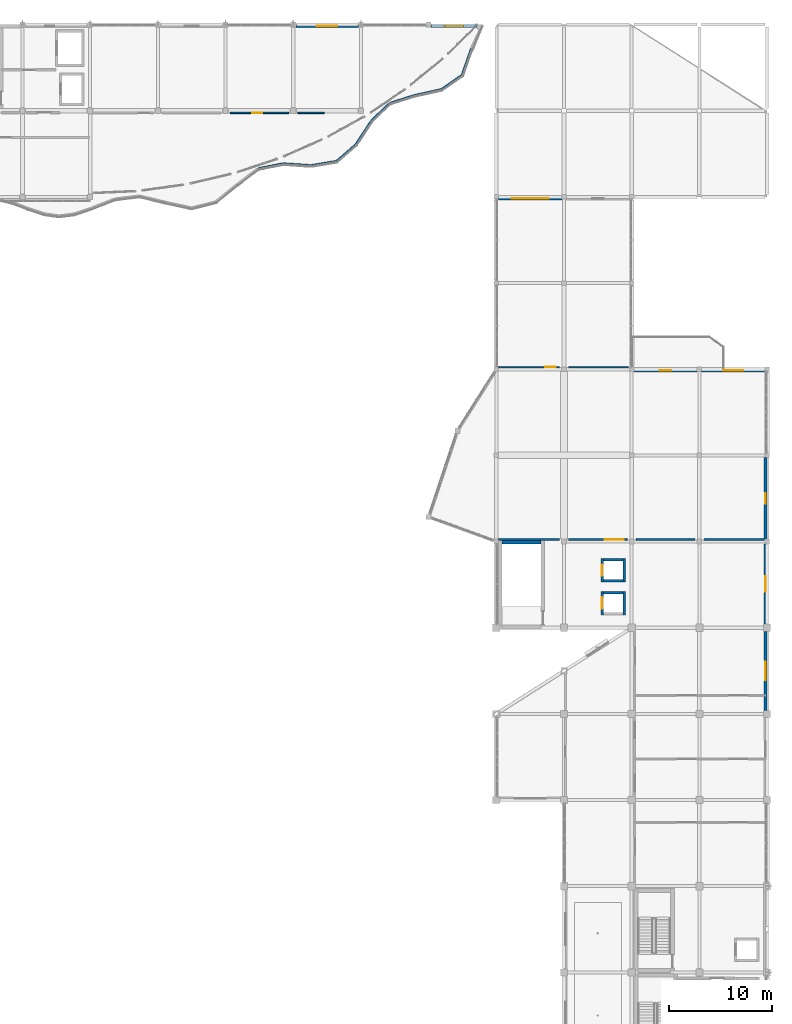
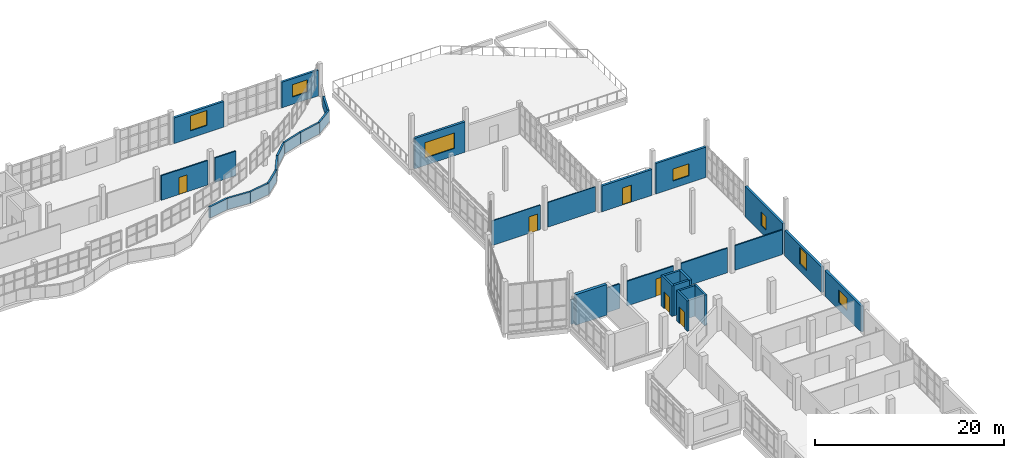
# One storey, part 63 of 78: 34 walls, 7 windows, 6 doors, 13 openings.
"""IFC4 building model written with IfcOpenShell, lengths in metres."""

import ifcopenshell
import ifcopenshell.guid

model = None  # the IFC model being written
_history = None  # IfcOwnerHistory: only IFC2X3 demands one
_inside = {}  # id of a spatial element -> (the spatial element, [elements in it])
_under = {}  # id of a project, library or spatial element -> (it, [spatial elements below it])
_declared = {}  # id of a project -> (the project, [libraries it declares])
_typed = {}  # id of a type object -> (the type object, [elements of that type])
_made_of = {}  # id of a material, layer set ... -> (it, [elements and type objects made of it])


def new_model(schema):
    """Start an empty IFC model of exactly this schema.

    Asked for "IFC4X3", IfcOpenShell would pick the latest addendum, in which some entities
    have other attributes; the version numbers below select the first issue.
    IFC2X3 requires an IfcOwnerHistory on every rooted entity: one is made here for all.
    """
    global model, _history
    if schema == "IFC4X3":
        model = ifcopenshell.file(schema_version=(4, 3, 0, 0))
    else:
        model = ifcopenshell.file(schema=schema)
    _inside.clear()
    _under.clear()
    _declared.clear()
    _typed.clear()
    _made_of.clear()
    _history = None
    if model.schema == "IFC2X3":
        org = make("IfcOrganization", Name="unknown")
        user = make(
            "IfcPersonAndOrganization",
            ThePerson=make("IfcPerson", FamilyName="unknown"),
            TheOrganization=org,
        )
        app = make(
            "IfcApplication",
            ApplicationDeveloper=org,
            Version="unknown",
            ApplicationFullName="unknown",
            ApplicationIdentifier="unknown",
        )
        _history = make(
            "IfcOwnerHistory",
            OwningUser=user,
            OwningApplication=app,
            ChangeAction="ADDED",
            CreationDate=0,
        )
    return model


def make(cls, **values):
    """One entity of the class cls with the attributes given. An attribute that is None is left unset."""
    return model.create_entity(
        cls, **{name: value for name, value in values.items() if value is not None}
    )


def rooted(cls, **values):
    """An entity with a GlobalId (a new one), such as an element, a storey or a relation."""
    return make(cls, GlobalId=ifcopenshell.guid.new(), OwnerHistory=_history, **values)


def si_unit(unit_type, name, prefix=None):
    """IfcSIUnit, for example si_unit("LENGTHUNIT", "METRE", prefix="MILLI")."""
    return make("IfcSIUnit", UnitType=unit_type, Prefix=prefix, Name=name)


def assignment(units):
    """IfcUnitAssignment: the units of a project."""
    return None if units is None else make("IfcUnitAssignment", Units=units)


def point(xyz):
    """IfcCartesianPoint."""
    return None if xyz is None else make("IfcCartesianPoint", Coordinates=xyz)


def direction(xyz):
    """IfcDirection."""
    return None if xyz is None else make("IfcDirection", DirectionRatios=xyz)


def frame(location, z_axis=None, x_axis=None):
    """IfcAxis2Placement3D, a coordinate frame: its origin and axes. An axis left out is left unset."""
    return make(
        "IfcAxis2Placement3D",
        Location=point(location),
        Axis=direction(z_axis),
        RefDirection=direction(x_axis),
    )


def frame_2d(location, x_axis=None):
    """IfcAxis2Placement2D, a coordinate frame in the plane: its origin and x axis."""
    return make(
        "IfcAxis2Placement2D", Location=point(location), RefDirection=direction(x_axis)
    )


def origin():
    """The frame at (0, 0, 0) with its axes left unset."""
    return frame((0.0, 0.0, 0.0))


def place(relative_to, where):
    """IfcLocalPlacement: puts the frame where relative to a parent placement (None: the world)."""
    return make(
        "IfcLocalPlacement", PlacementRelTo=relative_to, RelativePlacement=where
    )


def context(
    kind, dimensions, precision=None, world=None, true_north=None, identifier=None
):
    """IfcGeometricRepresentationContext, for example the 3D "Model" context."""
    return make(
        "IfcGeometricRepresentationContext",
        ContextIdentifier=identifier,
        ContextType=kind,
        CoordinateSpaceDimension=dimensions,
        Precision=precision,
        WorldCoordinateSystem=world,
        TrueNorth=true_north,
    )


def subcontext(parent, identifier, kind, view, scale=None):
    """IfcGeometricRepresentationSubContext, for example "Body" below "Model"."""
    return make(
        "IfcGeometricRepresentationSubContext",
        ContextIdentifier=identifier,
        ContextType=kind,
        ParentContext=parent,
        TargetScale=scale,
        TargetView=view,
    )


def project(units=None, contexts=None):
    """IfcProject with its units and contexts."""
    return rooted(
        "IfcProject",
        Name="project",
        RepresentationContexts=contexts,
        UnitsInContext=assignment(units),
    )


def spatial(cls, under=None, at=None, **own):
    """A site, building, storey or space (cls), placed at a placement, below another one or the project."""
    s = rooted(cls, ObjectPlacement=at, **own)
    if under is not None:
        _under.setdefault(under.id(), (under, []))[1].append(s)
    return s


def profile(cls, at=None, kind="AREA", **sizes):
    """A parametric profile (cls). Its sizes go by their IFC names, for example OverallWidth=200.0."""
    return make(cls, ProfileType=kind, Position=at, **sizes)


def rectangle(**sizes):
    """IfcRectangleProfileDef."""
    return profile("IfcRectangleProfileDef", **sizes)


def extrude(swept, where, along, depth):
    """IfcExtrudedAreaSolid: the profile swept, set in the frame where, extruded along a direction by depth."""
    return make(
        "IfcExtrudedAreaSolid",
        SweptArea=swept,
        Position=where,
        ExtrudedDirection=direction(along),
        Depth=depth,
    )


def shape(context_of_items, identifier, shape_type, items):
    """IfcShapeRepresentation: the items that make up one representation, for example the "Body"."""
    return make(
        "IfcShapeRepresentation",
        ContextOfItems=context_of_items,
        RepresentationIdentifier=identifier,
        RepresentationType=shape_type,
        Items=items,
    )


def material(Name=None, Category=None):
    """IfcMaterial."""
    return make("IfcMaterial", Name=Name, Category=Category)


def layer(
    of_material, thickness, ventilated=None, Name=None, Category=None, Priority=None
):
    """IfcMaterialLayer: one layer of a wall or slab, of a material (None: an air gap)."""
    return make(
        "IfcMaterialLayer",
        Material=of_material,
        LayerThickness=thickness,
        IsVentilated=ventilated,
        Name=Name,
        Category=Category,
        Priority=Priority,
    )


def layer_set(layers, Name=None):
    """IfcMaterialLayerSet."""
    return make("IfcMaterialLayerSet", MaterialLayers=layers, LayerSetName=Name)


def made_of(thing, what):
    """Note that an element or type object is made of a material, layer set ...; save() writes the relation."""
    if what is not None:
        _made_of.setdefault(what.id(), (what, []))[1].append(thing)
    return thing


def type_object(cls, material=None, **own):
    """A type object (cls), such as IfcWallType, which elements share."""
    return made_of(rooted(cls, **own), material)


def element(
    cls,
    number,
    at=None,
    inside=None,
    cuts=None,
    type_object=None,
    material=None,
    context=None,
    identifier="Body",
    shape_type=None,
    held_by="IfcProductDefinitionShape",
    body=None,
    shapes=None,
    **own,
):
    """One element of the class cls, such as IfcWall. Its Tag is "e" and its number.

    at: its placement. inside: the storey or other place that contains it. cuts: it is an
    opening in that element (IfcRelVoidsElement). A single representation is given by context,
    identifier, shape_type and body (its items); several are given by shapes. held_by: the class
    of the entity that holds the representations. save() writes the other relations.
    """
    e = rooted(cls, Tag="e%d" % number, ObjectPlacement=at, **own)
    if body is not None:
        shapes = [shape(context, identifier, shape_type, body)]
    if shapes is not None:
        e.Representation = make(held_by, Representations=shapes)
    if inside is not None:
        _inside.setdefault(inside.id(), (inside, []))[1].append(e)
    if cuts is not None:
        rooted(
            "IfcRelVoidsElement", RelatingBuildingElement=cuts, RelatedOpeningElement=e
        )
    if type_object is not None:
        _typed.setdefault(type_object.id(), (type_object, []))[1].append(e)
    return made_of(e, material)


def fill(opening, filler):
    """IfcRelFillsElement: the door or window that sits in an opening."""
    return rooted(
        "IfcRelFillsElement",
        RelatingOpeningElement=opening,
        RelatedBuildingElement=filler,
    )


def aggregate(whole, parts):
    """IfcRelAggregates: a whole, such as a stair, and the parts it consists of."""
    return rooted("IfcRelAggregates", RelatingObject=whole, RelatedObjects=parts)


def save(model, path):
    """Write the relations noted so far, then the file.

    IfcRelAggregates (storeys below a building ...), IfcRelContainedInSpatialStructure (elements
    in a storey), IfcRelDefinesByType, IfcRelAssociatesMaterial and IfcRelDeclares: one each for
    every whole, place, type object, material and project.
    """
    for whole, parts in _under.values():
        aggregate(whole, parts)
    for where, things in _inside.values():
        rooted(
            "IfcRelContainedInSpatialStructure",
            RelatedElements=things,
            RelatingStructure=where,
        )
    for kind, things in _typed.values():
        rooted("IfcRelDefinesByType", RelatedObjects=things, RelatingType=kind)
    for what, things in _made_of.values():
        rooted("IfcRelAssociatesMaterial", RelatedObjects=things, RelatingMaterial=what)
    for by, libraries in _declared.values():
        rooted("IfcRelDeclares", RelatingContext=by, RelatedDefinitions=libraries)
    model.write(path)


model = new_model("IFC4")

# Units and contexts
model_context = context("Model", 3, precision=1e-05, world=origin(), true_north=direction((0.0, 1.0)))
body_context = subcontext(model_context, "Body", "Model", "MODEL_VIEW")
ifc_project = project(units=[si_unit("LENGTHUNIT", "METRE"), si_unit("AREAUNIT", "SQUARE_METRE"), si_unit("VOLUMEUNIT", "CUBIC_METRE"), si_unit("PLANEANGLEUNIT", "RADIAN"), si_unit("MASSUNIT", "GRAM", prefix="KILO")], contexts=[model_context])

# Site, building, storey
site_placement = place(None, origin())
site = spatial("IfcSite", under=ifc_project, at=site_placement, CompositionType="ELEMENT")
building_placement = place(site_placement, origin())
building = spatial("IfcBuilding", under=site, at=building_placement, Name="Qaldarim Faculty of Natural and Applied Sciences", CompositionType="ELEMENT")
storey_placement = place(building_placement, frame((0.0, 0.0, 18.60009765625)))
storey = spatial("IfcBuildingStorey", under=building, at=storey_placement, Name="L04", CompositionType="ELEMENT", Elevation=18.60009765625)

# Wall, opening, door
ifc_material_1 = material(Name="Painted gypsum partition board")
ifc_layer_1 = layer(ifc_material_1, 0.1201171875)
ifc_layer_set_1 = layer_set([ifc_layer_1], Name="Painted gypsum partition board")
wall_type_1 = type_object("IfcWallType", Name="AcousticPartition-120", PredefinedType="PARTITIONING", material=ifc_layer_set_1)
wall_1_placement = place(storey_placement, frame((152.0, 84.199951171875, 0.0), z_axis=(0.0, 0.0, 1.0), x_axis=(1.0, 0.0, 0.0)))
wall_1 = element("IfcWall", 1, at=wall_1_placement, inside=storey, type_object=wall_type_1, Name="Interior partition PRT-L04-V3-WRTS-S1", PredefinedType="PARTITIONING", context=body_context, shape_type="SweptSolid", body=[
    extrude(rectangle(XDim=5.949951171875, YDim=0.1201171875, at=frame_2d((2.97509765625, 0.0))), origin(), (0.0, 0.0, 1.0), 3.18994140625),
])
opening_1_placement = place(wall_1_placement, frame((4.550048828125, 0.0, 0.0)))
opening_1 = element("IfcOpeningElement", 2, at=opening_1_placement, cuts=wall_1, Name="Opening ID02", PredefinedType="OPENING", context=body_context, shape_type="SweptSolid", body=[
    extrude(rectangle(XDim=1.050048828125, YDim=2.14990234375, at=frame_2d((0.52490234375, 1.074951171875))), frame((0.0, 0.070068359375, 0.0), z_axis=(0.0, -1.0, 0.0), x_axis=(1.0, 0.0, 0.0)), (0.0, 0.0, 1.0), 0.14013671875),
])
ifc_material_2 = material(Name="Oak hardwood", Category="wood")
door_type_1 = type_object("IfcDoorType", Name="AccessibleRoomDoor-1050x2150", OperationType="NOTDEFINED", PredefinedType="DOOR", material=ifc_material_2)
door_1_placement = place(opening_1_placement, origin())
door_1 = element("IfcDoor", 3, at=door_1_placement, inside=storey, type_object=door_type_1, Name="Interior door D-L04-249", OperationType="SINGLE_SWING_LEFT", OverallHeight=2.14990234375, OverallWidth=1.050048828125, PredefinedType="DOOR", context=body_context, shape_type="SweptSolid", body=[
    extrude(rectangle(XDim=1.050048828125, YDim=2.14990234375, at=frame_2d((0.52490234375, 1.074951171875))), frame((0.0, 0.02490234375, 0.0), z_axis=(0.0, -1.0, 0.0), x_axis=(1.0, 0.0, 0.0)), (0.0, 0.0, 1.0), 0.050048828125),
])
fill(opening_1, door_1)

# Walls
wall_2_placement = place(storey_placement, frame((158.85009765625, 84.199951171875, 0.0), z_axis=(0.0, 0.0, 1.0), x_axis=(1.0, 0.0, 0.0)))
element("IfcWall", 4, at=wall_2_placement, inside=storey, type_object=wall_type_1, Name="Interior partition PRT-L04-V3-WRTS-S2", PredefinedType="PARTITIONING", context=body_context, shape_type="SweptSolid", body=[
    extrude(rectangle(XDim=5.829833984375, YDim=0.1201171875, at=frame_2d((2.9150390625, 0.0))), origin(), (0.0, 0.0, 1.0), 3.18994140625),
])
ifc_material_3 = material(Name="Concrete C50/60", Category="concrete")
ifc_layer_2 = layer(ifc_material_3, 0.360107421875)
ifc_layer_set_2 = layer_set([ifc_layer_2], Name="Concrete C50/60")
wall_type_2 = type_object("IfcWallType", Name="CoreShearWall-360", PredefinedType="SHEAR", material=ifc_layer_set_2)
wall_3_placement = place(storey_placement, frame((152.35009765625, 67.1298828125, 0.0), z_axis=(0.0, 0.0, 1.0), x_axis=(1.0, 0.0, 0.0)))
element("IfcWall", 5, at=wall_3_placement, inside=storey, type_object=wall_type_2, Name="Core stair ST-C1 north shear wall L04", PredefinedType="SHEAR", context=body_context, shape_type="SweptSolid", body=[
    extrude(rectangle(XDim=3.7998046875, YDim=0.360107421875, at=frame_2d((1.89990234375, 0.0))), origin(), (0.0, 0.0, 1.0), 3.9599609375),
])

# Wall, opening, window
ifc_material_4 = material(Name="Precast concrete C40/50", Category="concrete")
ifc_layer_3 = layer(ifc_material_4, 0.280029296875)
ifc_layer_set_3 = layer_set([ifc_layer_3], Name="Precast concrete C40/50")
wall_type_3 = type_object("IfcWallType", Name="ExteriorSpandrelWall-280", PredefinedType="SOLIDWALL", material=ifc_layer_set_3)
wall_4_placement = place(storey_placement, frame((138.35498046875, 117.4599609375, 0.0), z_axis=(0.0, 0.0, 1.0), x_axis=(-1.0, 0.0, 0.0)))
wall_4 = element("IfcWall", 6, at=wall_4_placement, inside=storey, type_object=wall_type_3, Name="Exterior wall EW02 L04 N X21Y14", PredefinedType="SOLIDWALL", context=body_context, shape_type="SweptSolid", body=[
    extrude(rectangle(XDim=6.10986328125, YDim=0.280029296875, at=frame_2d((3.054931640625, 0.0))), origin(), (0.0, 0.0, 1.0), 3.324951171875),
])
opening_2_placement = place(wall_4_placement, frame((2.054931640625, 0.0, 0.949951171875)))
opening_2 = element("IfcOpeningElement", 7, at=opening_2_placement, cuts=wall_4, Name="Opening WN27", PredefinedType="OPENING", context=body_context, shape_type="SweptSolid", body=[
    extrude(rectangle(XDim=2.0, YDim=1.949951171875, at=frame_2d((1.0, 0.97509765625))), frame((0.0, 0.14990234375, 0.0), z_axis=(0.0, -1.0, 0.0), x_axis=(1.0, 0.0, 0.0)), (0.0, 0.0, 1.0), 0.300048828125),
])
ifc_material_5 = material(Name="Insulated low-e double glazing", Category="glass")
window_type_1 = type_object("IfcWindowType", Name="GalleryWindow-2000x1950", PartitioningType="DOUBLE_PANEL_VERTICAL", PredefinedType="WINDOW", material=ifc_material_5)
window_1_placement = place(opening_2_placement, origin())
window_1 = element("IfcWindow", 8, at=window_1_placement, inside=storey, type_object=window_type_1, Name="Facade window WN27 L04 N X21Y14", OverallHeight=1.949951171875, OverallWidth=2.0, PartitioningType="SINGLE_PANEL", PredefinedType="WINDOW", context=body_context, shape_type="SweptSolid", body=[
    extrude(rectangle(XDim=2.0, YDim=1.949951171875, at=frame_2d((1.0, 0.97509765625))), frame((0.0, 0.030029296875, 0.0), z_axis=(0.0, -1.0, 0.0), x_axis=(1.0, 0.0, 0.0)), (0.0, 0.0, 1.0), 0.06005859375),
])
fill(opening_2, window_1)

wall_5_placement = place(storey_placement, frame((158.179931640625, 100.659912109375, 0.0), z_axis=(0.0, 0.0, 1.0), x_axis=(-1.0, 0.0, 0.0)))
wall_5 = element("IfcWall", 9, at=wall_5_placement, inside=storey, type_object=wall_type_3, Name="Exterior wall EW02 L04 N X24Y12", PredefinedType="SOLIDWALL", context=body_context, shape_type="SweptSolid", body=[
    extrude(rectangle(XDim=6.159912109375, YDim=0.280029296875, at=frame_2d((3.080078125, 0.0))), origin(), (0.0, 0.0, 1.0), 3.93994140625),
])
opening_3_placement = place(wall_5_placement, frame((1.280029296875, 0.0, 0.949951171875)))
opening_3 = element("IfcOpeningElement", 10, at=opening_3_placement, cuts=wall_5, Name="Opening WN07", PredefinedType="OPENING", context=body_context, shape_type="SweptSolid", body=[
    extrude(rectangle(XDim=3.60009765625, YDim=2.0, at=frame_2d((1.800048828125, 1.0))), frame((0.0, 0.14990234375, 0.0), z_axis=(0.0, -1.0, 0.0), x_axis=(1.0, 0.0, 0.0)), (0.0, 0.0, 1.0), 0.300048828125),
])
window_type_2 = type_object("IfcWindowType", Name="Window-3600x2000", PartitioningType="TRIPLE_PANEL_VERTICAL", PredefinedType="WINDOW", material=ifc_material_5)
window_2_placement = place(opening_3_placement, origin())
window_2 = element("IfcWindow", 11, at=window_2_placement, inside=storey, type_object=window_type_2, Name="Facade window WN07 L04 N X24Y12", OverallHeight=2.0, OverallWidth=3.60009765625, PartitioningType="SINGLE_PANEL", PredefinedType="WINDOW", context=body_context, shape_type="SweptSolid", body=[
    extrude(rectangle(XDim=3.60009765625, YDim=2.0, at=frame_2d((1.800048828125, 1.0))), frame((0.0, 0.030029296875, 0.0), z_axis=(0.0, -1.0, 0.0), x_axis=(1.0, 0.0, 0.0)), (0.0, 0.0, 1.0), 0.06005859375),
])
fill(opening_3, window_2)

# Wall, opening, door
wall_6_placement = place(storey_placement, frame((171.3798828125, 83.860107421875, 0.0), z_axis=(0.0, 0.0, 1.0), x_axis=(-1.0, 0.0, 0.0)))
wall_6 = element("IfcWall", 12, at=wall_6_placement, inside=storey, type_object=wall_type_3, Name="Exterior wall EW02 L04 N X26Y10", PredefinedType="SOLIDWALL", context=body_context, shape_type="SweptSolid", body=[
    extrude(rectangle(XDim=6.159912109375, YDim=0.280029296875, at=frame_2d((3.080078125, 0.0))), origin(), (0.0, 0.0, 1.0), 3.349853515625),
])
opening_4_placement = place(wall_6_placement, frame((2.530029296875, 0.0, 0.0)))
opening_4 = element("IfcOpeningElement", 13, at=opening_4_placement, cuts=wall_6, Name="Opening ED03", PredefinedType="OPENING", context=body_context, shape_type="SweptSolid", body=[
    extrude(rectangle(XDim=1.10009765625, YDim=2.199951171875, at=frame_2d((0.550048828125, 1.10009765625))), frame((0.0, 0.14990234375, 0.0), z_axis=(0.0, -1.0, 0.0), x_axis=(1.0, 0.0, 0.0)), (0.0, 0.0, 1.0), 0.300048828125),
])
ifc_material_6 = material(Name="Anodised aluminium AW-6063", Category="aluminium")
door_type_2 = type_object("IfcDoorType", Name="TerraceAccessDoor-1100x2200", OperationType="NOTDEFINED", PredefinedType="DOOR", material=ifc_material_6)
door_2_placement = place(opening_4_placement, frame((1.10009765625, 0.0, 0.0), z_axis=(0.0, 0.0, 1.0), x_axis=(-1.0, 0.0, 0.0)))
door_2 = element("IfcDoor", 14, at=door_2_placement, inside=storey, type_object=door_type_2, Name="Terrace access door D-L04-027", OperationType="SINGLE_SWING_LEFT", OverallHeight=2.199951171875, OverallWidth=1.10009765625, PredefinedType="DOOR", context=body_context, shape_type="SweptSolid", body=[
    extrude(rectangle(XDim=1.10009765625, YDim=2.199951171875, at=frame_2d((0.550048828125, 1.10009765625))), frame((0.0, 0.02490234375, 0.0), z_axis=(0.0, -1.0, 0.0), x_axis=(1.0, 0.0, 0.0)), (0.0, 0.0, 1.0), 0.050048828125),
])
fill(opening_4, door_2)

# Wall, opening, window
wall_7_placement = place(storey_placement, frame((178.06005859375, 50.7451171875, 0.0), z_axis=(0.0, 0.0, 1.0), x_axis=(0.0, 1.0, 0.0)))
wall_7 = element("IfcWall", 15, at=wall_7_placement, inside=storey, type_object=wall_type_3, Name="Exterior wall EW02 L04 E X27Y07", PredefinedType="SOLIDWALL", context=body_context, shape_type="SweptSolid", body=[
    extrude(rectangle(XDim=7.7099609375, YDim=0.280029296875, at=frame_2d((3.85498046875, 0.0))), origin(), (0.0, 0.0, 1.0), 3.324951171875),
])
opening_5_placement = place(wall_7_placement, frame((2.955078125, 0.0, 0.949951171875)))
opening_5 = element("IfcOpeningElement", 16, at=opening_5_placement, cuts=wall_7, Name="Opening WN02", PredefinedType="OPENING", context=body_context, shape_type="SweptSolid", body=[
    extrude(rectangle(XDim=1.800048828125, YDim=1.60009765625, at=frame_2d((0.89990234375, 0.800048828125))), frame((0.0, 0.14990234375, 0.0), z_axis=(0.0, -1.0, 0.0), x_axis=(1.0, 0.0, 0.0)), (0.0, 0.0, 1.0), 0.300048828125),
])
window_type_3 = type_object("IfcWindowType", Name="Window-1800x1600", PartitioningType="DOUBLE_PANEL_VERTICAL", PredefinedType="WINDOW", material=ifc_material_5)
window_3_placement = place(opening_5_placement, origin())
window_3 = element("IfcWindow", 17, at=window_3_placement, inside=storey, type_object=window_type_3, Name="Facade window WN02 L04 E X27Y07", OverallHeight=1.60009765625, OverallWidth=1.800048828125, PartitioningType="SINGLE_PANEL", PredefinedType="WINDOW", context=body_context, shape_type="SweptSolid", body=[
    extrude(rectangle(XDim=1.800048828125, YDim=1.60009765625, at=frame_2d((0.89990234375, 0.800048828125))), frame((0.0, 0.030029296875, 0.0), z_axis=(0.0, -1.0, 0.0), x_axis=(1.0, 0.0, 0.0)), (0.0, 0.0, 1.0), 0.06005859375),
])
fill(opening_5, window_3)

wall_8_placement = place(storey_placement, frame((178.06005859375, 59.14501953125, 0.0), z_axis=(0.0, 0.0, 1.0), x_axis=(0.0, 1.0, 0.0)))
wall_8 = element("IfcWall", 18, at=wall_8_placement, inside=storey, type_object=wall_type_3, Name="Exterior wall EW02 L04 E X27Y08", PredefinedType="SOLIDWALL", context=body_context, shape_type="SweptSolid", body=[
    extrude(rectangle(XDim=7.8349609375, YDim=0.280029296875, at=frame_2d((3.91748046875, 0.0))), origin(), (0.0, 0.0, 1.0), 3.324951171875),
])
opening_6_placement = place(wall_8_placement, frame((3.169921875, 0.0, 0.949951171875)))
opening_6 = element("IfcOpeningElement", 19, at=opening_6_placement, cuts=wall_8, Name="Opening WN06", PredefinedType="OPENING", context=body_context, shape_type="SweptSolid", body=[
    extrude(rectangle(XDim=1.5, YDim=2.10009765625, at=frame_2d((0.75, 1.050048828125))), frame((0.0, 0.14990234375, 0.0), z_axis=(0.0, -1.0, 0.0), x_axis=(1.0, 0.0, 0.0)), (0.0, 0.0, 1.0), 0.300048828125),
])
window_type_4 = type_object("IfcWindowType", Name="Window-1500x2100", PartitioningType="DOUBLE_PANEL_VERTICAL", PredefinedType="WINDOW", material=ifc_material_5)
window_4_placement = place(opening_6_placement, origin())
window_4 = element("IfcWindow", 20, at=window_4_placement, inside=storey, type_object=window_type_4, Name="Facade window WN06 L04 E X27Y08", OverallHeight=2.10009765625, OverallWidth=1.5, PartitioningType="SINGLE_PANEL", PredefinedType="WINDOW", context=body_context, shape_type="SweptSolid", body=[
    extrude(rectangle(XDim=1.5, YDim=2.10009765625, at=frame_2d((0.75, 1.050048828125))), frame((0.0, 0.030029296875, 0.0), z_axis=(0.0, -1.0, 0.0), x_axis=(1.0, 0.0, 0.0)), (0.0, 0.0, 1.0), 0.06005859375),
])
fill(opening_6, window_4)

wall_9_placement = place(storey_placement, frame((178.06005859375, 67.419921875, 0.0), z_axis=(0.0, 0.0, 1.0), x_axis=(0.0, 1.0, 0.0)))
wall_9 = element("IfcWall", 21, at=wall_9_placement, inside=storey, type_object=wall_type_3, Name="Exterior wall EW02 L04 E X27Y09", PredefinedType="SOLIDWALL", context=body_context, shape_type="SweptSolid", body=[
    extrude(rectangle(XDim=7.9599609375, YDim=0.280029296875, at=frame_2d((3.97998046875, 0.0))), origin(), (0.0, 0.0, 1.0), 3.93994140625),
])
opening_7_placement = place(wall_9_placement, frame((3.455078125, 0.0, 0.949951171875)))
opening_7 = element("IfcOpeningElement", 22, at=opening_7_placement, cuts=wall_9, Name="Opening WN17", PredefinedType="OPENING", context=body_context, shape_type="SweptSolid", body=[
    extrude(rectangle(XDim=1.050048828125, YDim=1.75, at=frame_2d((0.52490234375, 0.875))), frame((0.0, 0.14990234375, 0.0), z_axis=(0.0, -1.0, 0.0), x_axis=(1.0, 0.0, 0.0)), (0.0, 0.0, 1.0), 0.300048828125),
])
window_type_5 = type_object("IfcWindowType", Name="StudyWindow-1050x1750", PartitioningType="SINGLE_PANEL", PredefinedType="WINDOW", material=ifc_material_5)
window_5_placement = place(opening_7_placement, origin())
window_5 = element("IfcWindow", 23, at=window_5_placement, inside=storey, type_object=window_type_5, Name="Facade window WN17 L04 E X27Y09", OverallHeight=1.75, OverallWidth=1.050048828125, PartitioningType="SINGLE_PANEL", PredefinedType="WINDOW", context=body_context, shape_type="SweptSolid", body=[
    extrude(rectangle(XDim=1.050048828125, YDim=1.75, at=frame_2d((0.52490234375, 0.875))), frame((0.0, 0.030029296875, 0.0), z_axis=(0.0, -1.0, 0.0), x_axis=(1.0, 0.0, 0.0)), (0.0, 0.0, 1.0), 0.06005859375),
])
fill(opening_7, window_5)

wall_10_placement = place(storey_placement, frame((177.97998046875, 83.860107421875, 0.0), z_axis=(0.0, 0.0, 1.0), x_axis=(-1.0, 0.0, 0.0)))
wall_10 = element("IfcWall", 24, at=wall_10_placement, inside=storey, type_object=wall_type_3, Name="Exterior wall EW02 L04 N X27Y10", PredefinedType="SOLIDWALL", context=body_context, shape_type="SweptSolid", body=[
    extrude(rectangle(XDim=6.159912109375, YDim=0.280029296875, at=frame_2d((3.080078125, 0.0))), origin(), (0.0, 0.0, 1.0), 3.93994140625),
])
opening_8_placement = place(wall_10_placement, frame((2.10498046875, 0.0, 0.949951171875)))
opening_8 = element("IfcOpeningElement", 25, at=opening_8_placement, cuts=wall_10, Name="Opening WN11", PredefinedType="OPENING", context=body_context, shape_type="SweptSolid", body=[
    extrude(rectangle(XDim=1.949951171875, YDim=1.550048828125, at=frame_2d((0.97509765625, 0.77490234375))), frame((0.0, 0.14990234375, 0.0), z_axis=(0.0, -1.0, 0.0), x_axis=(1.0, 0.0, 0.0)), (0.0, 0.0, 1.0), 0.300048828125),
])
window_type_6 = type_object("IfcWindowType", Name="LabWindow-1950x1550", PartitioningType="DOUBLE_PANEL_VERTICAL", PredefinedType="WINDOW", material=ifc_material_5)
window_6_placement = place(opening_8_placement, origin())
window_6 = element("IfcWindow", 26, at=window_6_placement, inside=storey, type_object=window_type_6, Name="Facade window WN11 L04 N X27Y10", OverallHeight=1.550048828125, OverallWidth=1.949951171875, PartitioningType="SINGLE_PANEL", PredefinedType="WINDOW", context=body_context, shape_type="SweptSolid", body=[
    extrude(rectangle(XDim=1.949951171875, YDim=1.550048828125, at=frame_2d((0.97509765625, 0.77490234375))), frame((0.0, 0.030029296875, 0.0), z_axis=(0.0, -1.0, 0.0), x_axis=(1.0, 0.0, 0.0)), (0.0, 0.0, 1.0), 0.06005859375),
])
fill(opening_8, window_6)

wall_11_placement = place(storey_placement, frame((149.929931640625, 117.4599609375, 0.0), z_axis=(0.0, 0.0, 1.0), x_axis=(-1.0, 0.0, 0.0)))
wall_11 = element("IfcWall", 27, at=wall_11_placement, inside=storey, type_object=wall_type_3, Name="Laboratories NE corner facade wall L04", PredefinedType="SOLIDWALL", context=body_context, shape_type="SweptSolid", body=[
    extrude(rectangle(XDim=4.48486328125, YDim=0.280029296875, at=frame_2d((2.242431640625, 0.0))), origin(), (0.0, 0.0, 1.0), 3.324951171875),
])
opening_9_placement = place(wall_11_placement, frame((1.344970703125, 0.0, 0.949951171875)))
opening_9 = element("IfcOpeningElement", 28, at=opening_9_placement, cuts=wall_11, Name="Opening WN02", PredefinedType="OPENING", context=body_context, shape_type="SweptSolid", body=[
    extrude(rectangle(XDim=1.800048828125, YDim=1.60009765625, at=frame_2d((0.89990234375, 0.800048828125))), frame((0.0, 0.14990234375, 0.0), z_axis=(0.0, -1.0, 0.0), x_axis=(1.0, 0.0, 0.0)), (0.0, 0.0, 1.0), 0.300048828125),
])
window_7_placement = place(opening_9_placement, origin())
window_7 = element("IfcWindow", 29, at=window_7_placement, inside=storey, type_object=window_type_3, Name="Laboratories NE corner window L04", OverallHeight=1.60009765625, OverallWidth=1.800048828125, PartitioningType="SINGLE_PANEL", PredefinedType="WINDOW", context=body_context, shape_type="SweptSolid", body=[
    extrude(rectangle(XDim=1.800048828125, YDim=1.60009765625, at=frame_2d((0.89990234375, 0.800048828125))), frame((0.0, 0.030029296875, 0.0), z_axis=(0.0, -1.0, 0.0), x_axis=(1.0, 0.0, 0.0)), (0.0, 0.0, 1.0), 0.06005859375),
])
fill(opening_9, window_7)

# Wall, opening, door
ifc_material_7 = material(Name="Concrete C40/50", Category="concrete")
ifc_layer_4 = layer(ifc_material_7, 0.159912109375)
ifc_layer_set_4 = layer_set([ifc_layer_4], Name="Concrete C40/50")
wall_type_4 = type_object("IfcWallType", Name="FireCorridorWall-160", PredefinedType="PARTITIONING", material=ifc_layer_set_4)
wall_12_placement = place(storey_placement, frame((125.85009765625, 109.0, 0.0), z_axis=(0.0, 0.0, 1.0), x_axis=(1.0, 0.0, 0.0)))
wall_12 = element("IfcWall", 30, at=wall_12_placement, inside=storey, type_object=wall_type_4, Name="Interior partition PRT-L04-V4-CORSE-S3", PredefinedType="PARTITIONING", context=body_context, shape_type="SweptSolid", body=[
    extrude(rectangle(XDim=5.699951171875, YDim=0.159912109375, at=frame_2d((2.85009765625, 0.0))), origin(), (0.0, 0.0, 1.0), 3.1748046875),
])
opening_10_placement = place(wall_12_placement, frame((2.14990234375, 0.0, 0.0)))
opening_10 = element("IfcOpeningElement", 31, at=opening_10_placement, cuts=wall_12, Name="Opening ID08", PredefinedType="OPENING", context=body_context, shape_type="SweptSolid", body=[
    extrude(rectangle(XDim=1.0, YDim=2.199951171875, at=frame_2d((0.5, 1.10009765625))), frame((0.0, 0.08984375, 0.0), z_axis=(0.0, -1.0, 0.0), x_axis=(1.0, 0.0, 0.0)), (0.0, 0.0, 1.0), 0.179931640625),
])
door_type_3 = type_object("IfcDoorType", Name="SeminarRoomDoor-1000x2200", OperationType="NOTDEFINED", PredefinedType="DOOR", material=ifc_material_2)
door_3_placement = place(opening_10_placement, origin())
door_3 = element("IfcDoor", 32, at=door_3_placement, inside=storey, type_object=door_type_3, Name="Interior door D-L04-247", OperationType="SINGLE_SWING_RIGHT", OverallHeight=2.199951171875, OverallWidth=1.0, PredefinedType="DOOR", context=body_context, shape_type="SweptSolid", body=[
    extrude(rectangle(XDim=1.0, YDim=2.199951171875, at=frame_2d((0.5, 1.10009765625))), frame((0.0, 0.02490234375, 0.0), z_axis=(0.0, -1.0, 0.0), x_axis=(1.0, 0.0, 0.0)), (0.0, 0.0, 1.0), 0.050048828125),
])
fill(opening_10, door_3)

# Walls
wall_13_placement = place(storey_placement, frame((132.449951171875, 109.0, 0.0), z_axis=(0.0, 0.0, 1.0), x_axis=(1.0, 0.0, 0.0)))
element("IfcWall", 33, at=wall_13_placement, inside=storey, type_object=wall_type_4, Name="Interior partition PRT-L04-V4-CORSE-S4", PredefinedType="PARTITIONING", context=body_context, shape_type="SweptSolid", body=[
    extrude(rectangle(XDim=2.550048828125, YDim=0.159912109375, at=frame_2d((1.27490234375, 0.0))), origin(), (0.0, 0.0, 1.0), 3.1748046875),
])
wall_14_placement = place(storey_placement, frame((152.0, 67.39990234375, 0.0), z_axis=(0.0, 0.0, 1.0), x_axis=(1.0, 0.0, 0.0)))
element("IfcWall", 34, at=wall_14_placement, inside=storey, type_object=wall_type_4, Name="Interior partition PRT-L04-V3-PAVS-S1", PredefinedType="PARTITIONING", context=body_context, shape_type="SweptSolid", body=[
    extrude(rectangle(XDim=5.949951171875, YDim=0.159912109375, at=frame_2d((2.97509765625, 0.0))), origin(), (0.0, 0.0, 1.0), 3.18994140625),
])

# Wall, opening, door
wall_15_placement = place(storey_placement, frame((158.85009765625, 67.39990234375, 0.0), z_axis=(0.0, 0.0, 1.0), x_axis=(1.0, 0.0, 0.0)))
wall_15 = element("IfcWall", 35, at=wall_15_placement, inside=storey, type_object=wall_type_4, Name="Interior partition PRT-L04-V3-PAVS-S2", PredefinedType="PARTITIONING", context=body_context, shape_type="SweptSolid", body=[
    extrude(rectangle(XDim=5.699951171875, YDim=0.159912109375, at=frame_2d((2.85009765625, 0.0))), origin(), (0.0, 0.0, 1.0), 3.18994140625),
])
opening_11_placement = place(wall_15_placement, frame((3.5, 0.0, 0.0)))
opening_11 = element("IfcOpeningElement", 36, at=opening_11_placement, cuts=wall_15, Name="Opening ID05", PredefinedType="OPENING", context=body_context, shape_type="SweptSolid", body=[
    extrude(rectangle(XDim=1.85009765625, YDim=2.25, at=frame_2d((0.925048828125, 1.125))), frame((0.0, 0.08984375, 0.0), z_axis=(0.0, -1.0, 0.0), x_axis=(1.0, 0.0, 0.0)), (0.0, 0.0, 1.0), 0.179931640625),
])
door_type_4 = type_object("IfcDoorType", Name="LectureDoubleDoor-1850x2250", OperationType="NOTDEFINED", PredefinedType="DOOR", material=ifc_material_2)
door_4_placement = place(opening_11_placement, origin())
door_4 = element("IfcDoor", 37, at=door_4_placement, inside=storey, type_object=door_type_4, Name="Interior door D-L04-248", OperationType="DOUBLE_DOOR_SINGLE_SWING", OverallHeight=2.25, OverallWidth=1.85009765625, PredefinedType="DOOR", context=body_context, shape_type="SweptSolid", body=[
    extrude(rectangle(XDim=1.85009765625, YDim=2.25, at=frame_2d((0.925048828125, 1.125))), frame((0.0, 0.02490234375, 0.0), z_axis=(0.0, -1.0, 0.0), x_axis=(1.0, 0.0, 0.0)), (0.0, 0.0, 1.0), 0.050048828125),
])
fill(opening_11, door_4)

# Walls
wall_16_placement = place(storey_placement, frame((165.449951171875, 67.39990234375, 0.0), z_axis=(0.0, 0.0, 1.0), x_axis=(1.0, 0.0, 0.0)))
element("IfcWall", 38, at=wall_16_placement, inside=storey, type_object=wall_type_4, Name="Interior partition PRT-L04-V3-PAVS-S3", PredefinedType="PARTITIONING", context=body_context, shape_type="SweptSolid", body=[
    extrude(rectangle(XDim=5.699951171875, YDim=0.159912109375, at=frame_2d((2.85009765625, 0.0))), origin(), (0.0, 0.0, 1.0), 3.18994140625),
])
wall_17_placement = place(storey_placement, frame((172.050048828125, 67.39990234375, 0.0), z_axis=(0.0, 0.0, 1.0), x_axis=(1.0, 0.0, 0.0)))
element("IfcWall", 39, at=wall_17_placement, inside=storey, type_object=wall_type_4, Name="Interior partition PRT-L04-V3-PAVS-S4", PredefinedType="PARTITIONING", context=body_context, shape_type="SweptSolid", body=[
    extrude(rectangle(XDim=5.829833984375, YDim=0.159912109375, at=frame_2d((2.9150390625, 0.0))), origin(), (0.0, 0.0, 1.0), 3.18994140625),
])

# Wall, opening, door
ifc_layer_5 = layer(ifc_material_7, 0.25)
ifc_layer_set_5 = layer_set([ifc_layer_5], Name="Concrete C40/50")
wall_type_5 = type_object("IfcWallType", Name="LiftShaftWall-250", PredefinedType="SHEAR", material=ifc_layer_set_5)
wall_18_placement = place(storey_placement, frame((162.125, 60.050048828125, 0.0), z_axis=(0.0, 0.0, 1.0), x_axis=(0.0, 1.0, 0.0)))
wall_18 = element("IfcWall", 40, at=wall_18_placement, inside=storey, type_object=wall_type_5, Name="Lift LF-C1 front shaft wall L04", PredefinedType="SHEAR", context=body_context, shape_type="SweptSolid", body=[
    extrude(rectangle(XDim=2.300048828125, YDim=0.25, at=frame_2d((1.14990234375, 0.0))), origin(), (0.0, 0.0, 1.0), 3.9599609375),
])
opening_12_placement = place(wall_18_placement, frame((0.60009765625, 0.0, 0.0)))
opening_12 = element("IfcOpeningElement", 41, at=opening_12_placement, cuts=wall_18, Name="Opening LD01", PredefinedType="OPENING", context=body_context, shape_type="SweptSolid", body=[
    extrude(rectangle(XDim=1.10009765625, YDim=2.14990234375, at=frame_2d((0.550048828125, 1.074951171875))), frame((0.0, 0.135009765625, 0.0), z_axis=(0.0, -1.0, 0.0), x_axis=(1.0, 0.0, 0.0)), (0.0, 0.0, 1.0), 0.27001953125),
])
ifc_material_8 = material(Name="Architectural stainless steel 316", Category="steel")
door_type_5 = type_object("IfcDoorType", Name="LiftLandingSlidingDoor-1100x2150", OperationType="NOTDEFINED", PredefinedType="DOOR", material=ifc_material_8)
door_5_placement = place(opening_12_placement, origin())
door_5 = element("IfcDoor", 42, at=door_5_placement, inside=storey, type_object=door_type_5, Name="Lift landing sliding door LF-C1 D-L04-655", OperationType="SLIDING_TO_LEFT", OverallHeight=2.14990234375, OverallWidth=1.10009765625, PredefinedType="DOOR", context=body_context, shape_type="SweptSolid", body=[
    extrude(rectangle(XDim=1.10009765625, YDim=2.14990234375, at=frame_2d((0.550048828125, 1.074951171875))), frame((0.0, 0.02490234375, 0.0), z_axis=(0.0, -1.0, 0.0), x_axis=(1.0, 0.0, 0.0)), (0.0, 0.0, 1.0), 0.050048828125),
])
fill(opening_12, door_5)

# Walls
wall_19_placement = place(storey_placement, frame((164.27490234375, 60.050048828125, 0.0), z_axis=(0.0, 0.0, 1.0), x_axis=(0.0, 1.0, 0.0)))
element("IfcWall", 43, at=wall_19_placement, inside=storey, type_object=wall_type_5, Name="Lift LF-C1 rear shaft wall L04", PredefinedType="SHEAR", context=body_context, shape_type="SweptSolid", body=[
    extrude(rectangle(XDim=2.300048828125, YDim=0.25, at=frame_2d((1.14990234375, 0.0))), origin(), (0.0, 0.0, 1.0), 3.9599609375),
])
wall_20_placement = place(storey_placement, frame((162.25, 62.22509765625, 0.0), z_axis=(0.0, 0.0, 1.0), x_axis=(1.0, 0.0, 0.0)))
element("IfcWall", 44, at=wall_20_placement, inside=storey, type_object=wall_type_5, Name="Lift LF-C1 north shaft wall L04", PredefinedType="SHEAR", context=body_context, shape_type="SweptSolid", body=[
    extrude(rectangle(XDim=1.89990234375, YDim=0.25, at=frame_2d((0.949951171875, 0.0))), origin(), (0.0, 0.0, 1.0), 3.9599609375),
])

# Wall, opening, door
wall_21_placement = place(storey_placement, frame((162.125, 63.25, 0.0), z_axis=(0.0, 0.0, 1.0), x_axis=(0.0, 1.0, 0.0)))
wall_21 = element("IfcWall", 45, at=wall_21_placement, inside=storey, type_object=wall_type_5, Name="Lift LF-C2 front shaft wall L04", PredefinedType="SHEAR", context=body_context, shape_type="SweptSolid", body=[
    extrude(rectangle(XDim=2.300048828125, YDim=0.25, at=frame_2d((1.14990234375, 0.0))), origin(), (0.0, 0.0, 1.0), 3.9599609375),
])
opening_13_placement = place(wall_21_placement, frame((0.60009765625, 0.0, 0.0)))
opening_13 = element("IfcOpeningElement", 46, at=opening_13_placement, cuts=wall_21, Name="Opening LD01", PredefinedType="OPENING", context=body_context, shape_type="SweptSolid", body=[
    extrude(rectangle(XDim=1.10009765625, YDim=2.14990234375, at=frame_2d((0.550048828125, 1.074951171875))), frame((0.0, 0.135009765625, 0.0), z_axis=(0.0, -1.0, 0.0), x_axis=(1.0, 0.0, 0.0)), (0.0, 0.0, 1.0), 0.27001953125),
])
door_6_placement = place(opening_13_placement, origin())
door_6 = element("IfcDoor", 47, at=door_6_placement, inside=storey, type_object=door_type_5, Name="Lift landing sliding door LF-C2 D-L04-661", OperationType="SLIDING_TO_LEFT", OverallHeight=2.14990234375, OverallWidth=1.10009765625, PredefinedType="DOOR", context=body_context, shape_type="SweptSolid", body=[
    extrude(rectangle(XDim=1.10009765625, YDim=2.14990234375, at=frame_2d((0.550048828125, 1.074951171875))), frame((0.0, 0.02490234375, 0.0), z_axis=(0.0, -1.0, 0.0), x_axis=(1.0, 0.0, 0.0)), (0.0, 0.0, 1.0), 0.050048828125),
])
fill(opening_13, door_6)

# Walls
wall_22_placement = place(storey_placement, frame((164.27490234375, 63.25, 0.0), z_axis=(0.0, 0.0, 1.0), x_axis=(0.0, 1.0, 0.0)))
element("IfcWall", 48, at=wall_22_placement, inside=storey, type_object=wall_type_5, Name="Lift LF-C2 rear shaft wall L04", PredefinedType="SHEAR", context=body_context, shape_type="SweptSolid", body=[
    extrude(rectangle(XDim=2.300048828125, YDim=0.25, at=frame_2d((1.14990234375, 0.0))), origin(), (0.0, 0.0, 1.0), 3.9599609375),
])
for number, where, z_axis, x_axis, name in (
    (49, (162.25, 63.375, 0.0), (0.0, 0.0, 1.0), (1.0, 0.0, 0.0), "Lift LF-C2 south shaft wall L04"),
    (50, (162.25, 65.425048828125, 0.0), (0.0, 0.0, 1.0), (1.0, 0.0, 0.0), "Lift LF-C2 north shaft wall L04"),
):
    element("IfcWall", number, at=place(storey_placement, frame(where, z_axis=z_axis, x_axis=x_axis)), inside=storey, type_object=wall_type_5, Name=name, PredefinedType="SHEAR", context=body_context, shape_type="SweptSolid", body=[
        extrude(rectangle(XDim=1.89990234375, YDim=0.25, at=frame_2d((0.949951171875, 0.0))), origin(), (0.0, 0.0, 1.0), 3.9599609375),
    ])
ifc_material_9 = material(Name="White architectural precast concrete C40/50", Category="concrete")
ifc_layer_6 = layer(ifc_material_9, 0.219970703125)
ifc_layer_set_6 = layer_set([ifc_layer_6], Name="White architectural precast concrete C40/50")
wall_type_6 = type_object("IfcWallType", Name="WhitePrecastWaveBand-220", PredefinedType="SOLIDWALL", material=ifc_layer_set_6)
wall_23_placement = place(storey_placement, frame((128.625, 103.570068359375, 0.0), z_axis=(0.0, 0.0, 1.0), x_axis=(0.981531105134, 0.191302612773, 0.0)))
element("IfcWall", 51, at=wall_23_placement, inside=storey, type_object=wall_type_6, Name="White precast wave spandrel band L04 chord 52", PredefinedType="SOLIDWALL", context=body_context, shape_type="SweptSolid", body=[
    extrude(rectangle(XDim=2.429931640625, YDim=0.219970703125, at=frame_2d((1.21484375, 0.0))), origin(), (0.0, 0.0, 1.0), 1.449951171875),
])
wall_24_placement = place(storey_placement, frame((131.044921875, 104.0400390625, 0.0), z_axis=(0.0, 0.0, 1.0), x_axis=(0.997676478133, -0.068129618957, 0.0)))
element("IfcWall", 52, at=wall_24_placement, inside=storey, type_object=wall_type_6, Name="White precast wave spandrel band L04 chord 53", PredefinedType="SOLIDWALL", context=body_context, shape_type="SweptSolid", body=[
    extrude(rectangle(XDim=2.71630859375, YDim=0.219970703125, at=frame_2d((1.358154296875, 0.0))), origin(), (0.0, 0.0, 1.0), 1.449951171875),
])
wall_25_placement = place(storey_placement, frame((133.719970703125, 103.85498046875, 0.0), z_axis=(0.0, 0.0, 1.0), x_axis=(0.98660836712, 0.163107111827, 0.0)))
element("IfcWall", 53, at=wall_25_placement, inside=storey, type_object=wall_type_6, Name="White precast wave spandrel band L04 chord 54", PredefinedType="SOLIDWALL", context=body_context, shape_type="SweptSolid", body=[
    extrude(rectangle(XDim=2.574462890625, YDim=0.219970703125, at=frame_2d((1.287109375, 0.0))), origin(), (0.0, 0.0, 1.0), 1.449951171875),
])
wall_26_placement = place(storey_placement, frame((136.195068359375, 104.239990234375, 0.0), z_axis=(0.0, 0.0, 1.0), x_axis=(0.755388714283, 0.655276956968, 0.0)))
element("IfcWall", 54, at=wall_26_placement, inside=storey, type_object=wall_type_6, Name="White precast wave spandrel band L04 chord 55", PredefinedType="SOLIDWALL", context=body_context, shape_type="SweptSolid", body=[
    extrude(rectangle(XDim=2.54833984375, YDim=0.219970703125, at=frame_2d((1.274169921875, 0.0))), origin(), (0.0, 0.0, 1.0), 1.449951171875),
])
wall_27_placement = place(storey_placement, frame((138.094970703125, 105.8798828125, 0.0), z_axis=(0.0, 0.0, 1.0), x_axis=(0.548361068299, 0.836241674861, 0.0)))
element("IfcWall", 55, at=wall_27_placement, inside=storey, type_object=wall_type_6, Name="White precast wave spandrel band L04 chord 56", PredefinedType="SOLIDWALL", context=body_context, shape_type="SweptSolid", body=[
    extrude(rectangle(XDim=2.7265625, YDim=0.219970703125, at=frame_2d((1.36328125, 0.0))), origin(), (0.0, 0.0, 1.0), 1.449951171875),
])
wall_28_placement = place(storey_placement, frame((139.60498046875, 108.18505859375, 0.0), z_axis=(0.0, 0.0, 1.0), x_axis=(0.715267450617, 0.698850823916, 0.0)))
element("IfcWall", 56, at=wall_28_placement, inside=storey, type_object=wall_type_6, Name="White precast wave spandrel band L04 chord 57", PredefinedType="SOLIDWALL", context=body_context, shape_type="SweptSolid", body=[
    extrude(rectangle(XDim=2.453857421875, YDim=0.219970703125, at=frame_2d((1.22705078125, 0.0))), origin(), (0.0, 0.0, 1.0), 1.449951171875),
])
wall_29_placement = place(storey_placement, frame((141.419921875, 109.93505859375, 0.0), z_axis=(0.0, 0.0, 1.0), x_axis=(0.953706689172, 0.300738343131, 0.0)))
element("IfcWall", 57, at=wall_29_placement, inside=storey, type_object=wall_type_6, Name="White precast wave spandrel band L04 chord 58", PredefinedType="SOLIDWALL", context=body_context, shape_type="SweptSolid", body=[
    extrude(rectangle(XDim=2.527099609375, YDim=0.219970703125, at=frame_2d((1.263671875, 0.0))), origin(), (0.0, 0.0, 1.0), 1.449951171875),
])
wall_30_placement = place(storey_placement, frame((143.840087890625, 110.695068359375, 0.0), z_axis=(0.0, 0.0, 1.0), x_axis=(0.976283950576, 0.216493990325, 0.0)))
element("IfcWall", 58, at=wall_30_placement, inside=storey, type_object=wall_type_6, Name="White precast wave spandrel band L04 chord 59", PredefinedType="SOLIDWALL", context=body_context, shape_type="SweptSolid", body=[
    extrude(rectangle(XDim=2.724609375, YDim=0.219970703125, at=frame_2d((1.3623046875, 0.0))), origin(), (0.0, 0.0, 1.0), 1.449951171875),
])
wall_31_placement = place(storey_placement, frame((146.449951171875, 111.264892578125, 0.0), z_axis=(0.0, 0.0, 1.0), x_axis=(0.82014400818, 0.572157151354, 0.0)))
element("IfcWall", 59, at=wall_31_placement, inside=storey, type_object=wall_type_6, Name="White precast wave spandrel band L04 chord 60", PredefinedType="SOLIDWALL", context=body_context, shape_type="SweptSolid", body=[
    extrude(rectangle(XDim=2.49951171875, YDim=0.219970703125, at=frame_2d((1.249755859375, 0.0))), origin(), (0.0, 0.0, 1.0), 1.449951171875),
])
wall_32_placement = place(storey_placement, frame((148.449951171875, 112.625, 0.0), z_axis=(0.0, 0.0, 1.0), x_axis=(0.330283694056, 0.943881709453, 0.0)))
element("IfcWall", 60, at=wall_32_placement, inside=storey, type_object=wall_type_6, Name="White precast wave spandrel band L04 chord 61", PredefinedType="SOLIDWALL", context=body_context, shape_type="SweptSolid", body=[
    extrude(rectangle(XDim=2.7705078125, YDim=0.219970703125, at=frame_2d((1.38525390625, 0.0))), origin(), (0.0, 0.0, 1.0), 1.449951171875),
])

save(model, "model.ifc")
